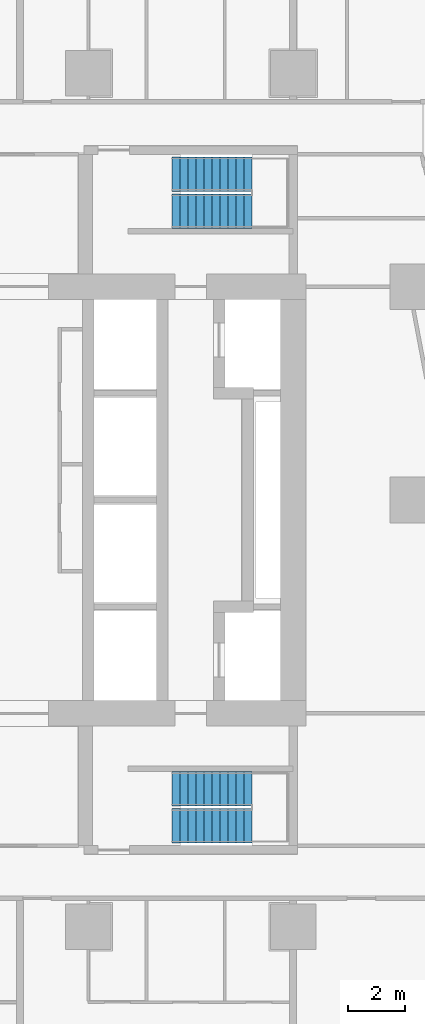
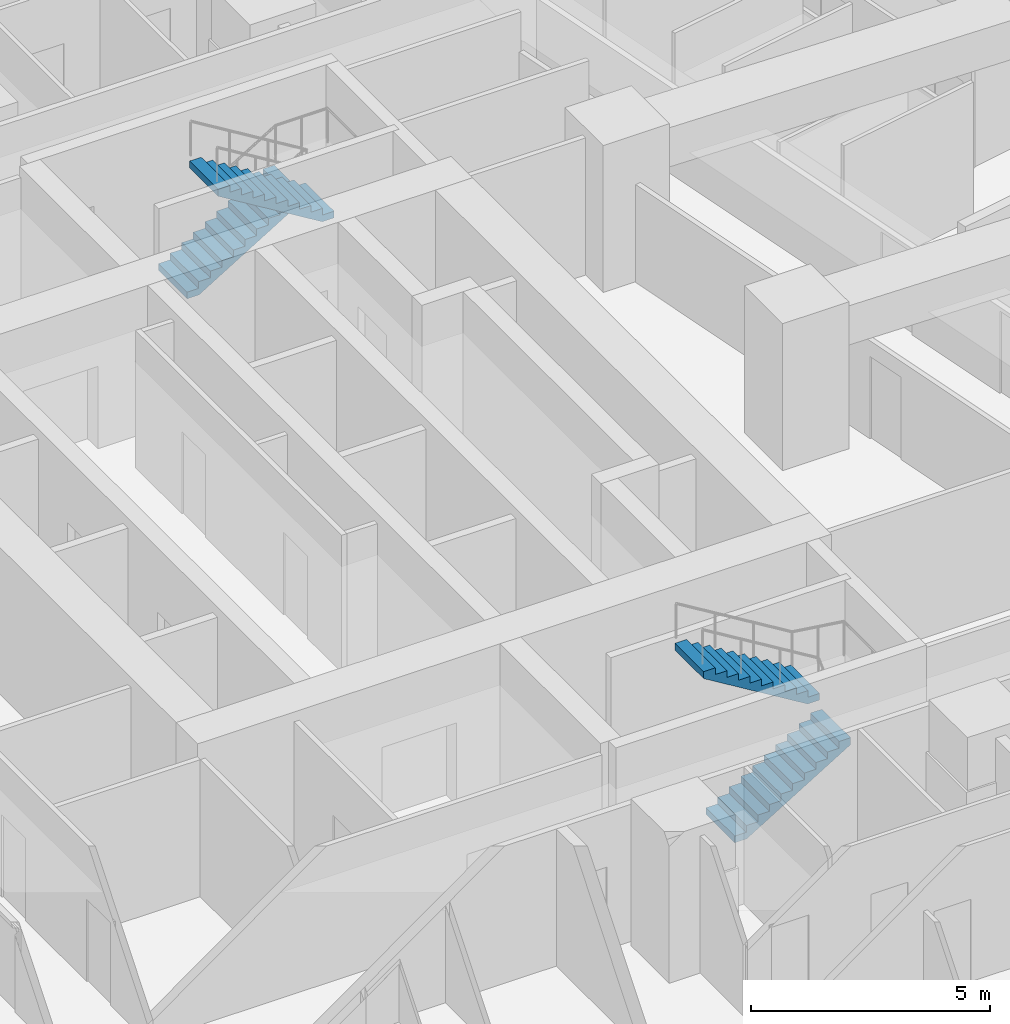
# One storey, part 14 of 17: 4 stair flights, 2 elements without a shape of their own.
"""IFC4 building model written with IfcOpenShell, lengths in metres."""

from ifc_helpers import new_model, si_unit, direction, frame, origin, place, context, subcontext, project, spatial, triangles, material, type_object, element, aggregate, save


model = new_model("IFC4")

# Units and contexts
model_context = context("Model", 3, precision=1e-05, world=origin(), true_north=direction((0.0, 1.0)))
body_context = subcontext(model_context, "Body", "Model", "MODEL_VIEW")
ifc_project = project(units=[si_unit("LENGTHUNIT", "METRE"), si_unit("AREAUNIT", "SQUARE_METRE"), si_unit("VOLUMEUNIT", "CUBIC_METRE"), si_unit("PLANEANGLEUNIT", "RADIAN"), si_unit("MASSUNIT", "GRAM", prefix="KILO")], contexts=[model_context])

# Site, building, storey
site_placement = place(None, origin())
site = spatial("IfcSite", under=ifc_project, at=site_placement, CompositionType="ELEMENT")
building_placement = place(site_placement, origin())
building = spatial("IfcBuilding", under=site, at=building_placement, Name="Sheger Commons Tower", CompositionType="ELEMENT")
storey_placement = place(building_placement, frame((0.0, 0.0, 111.64990234375)))
storey = spatial("IfcBuildingStorey", under=building, at=storey_placement, Name="L28", CompositionType="ELEMENT", Elevation=111.64990234375)

# Stair, stair flights
ifc_material_1 = material(Name="Concrete C35/45", Category="concrete")
stair_type = type_object("IfcStairType", Name="HALF-TURN STAIR 1200 RISE 3750", PredefinedType="HALF_TURN_STAIR", material=ifc_material_1)
stair_1_placement = place(storey_placement, origin())
stair_1 = element("IfcStair", 1, at=stair_1_placement, inside=storey, type_object=stair_type, Name="Stair S1 L28", PredefinedType="HALF_TURN_STAIR")
ifc_material_2 = material(Name="Concrete C35/45", Category="concrete")
stair_flight_type = type_object("IfcStairFlightType", Name="STAIR FLIGHT 1200 11 RISERS OF 170", PredefinedType="STRAIGHT", material=ifc_material_2)
stair_flight_1_placement = place(storey_placement, frame((24.550048828125, 11.050048828125, 0.0), z_axis=(0.0, 0.0, 1.0), x_axis=(1.0, 0.0, 0.0)))
stair_flight_1 = element("IfcStairFlight", 2, at=stair_flight_1_placement, type_object=stair_flight_type, Name="S1 flight 1", NumberOfRisers=11, NumberOfTreads=10, PredefinedType="STRAIGHT", RiserHeight=0.170454545, TreadLength=0.28, context=body_context, shape_type="Tessellation", body=[
    triangles([(0.0, 0.5999755859375, 0.0), (0.0, 0.5999755859375, 0.17041015625), (0.280029296875, 0.5999755859375, 0.17041015625), (0.280029296875, 0.5999755859375, 0.3408203125), (0.56005859375, 0.5999755859375, 0.3408203125), (0.56005859375, 0.5999755859375, 0.511474609375), (0.840087890625, 0.5999755859375, 0.511474609375), (0.840087890625, 0.5999755859375, 0.681884765625), (1.1201171875, 0.5999755859375, 0.681884765625), (1.1201171875, 0.5999755859375, 0.852294921875), (1.39990234375, 0.5999755859375, 0.852294921875), (1.39990234375, 0.5999755859375, 1.022705078125), (1.679931640625, 0.5999755859375, 1.022705078125), (1.679931640625, 0.5999755859375, 1.193115234375), (1.9599609375, 0.5999755859375, 1.193115234375), (1.9599609375, 0.5999755859375, 1.363525390625), (2.239990234375, 0.5999755859375, 1.363525390625), (2.239990234375, 0.5999755859375, 1.5341796875), (2.52001953125, 0.5999755859375, 1.5341796875), (2.52001953125, 0.5999755859375, 1.70458984375), (2.800048828125, 0.5999755859375, 1.70458984375), (2.800048828125, 0.5999755859375, 1.529052734375), (0.288330078125, 0.5999755859375, 0.0), (0.0, -0.5999755859375, 0.0), (0.0, -0.5999755859375, 0.17041015625), (0.280029296875, -0.5999755859375, 0.17041015625), (0.280029296875, -0.5999755859375, 0.3408203125), (0.56005859375, -0.5999755859375, 0.3408203125), (0.56005859375, -0.5999755859375, 0.511474609375), (0.840087890625, -0.5999755859375, 0.511474609375), (0.840087890625, -0.5999755859375, 0.681884765625), (1.1201171875, -0.5999755859375, 0.681884765625), (1.1201171875, -0.5999755859375, 0.852294921875), (1.39990234375, -0.5999755859375, 0.852294921875), (1.39990234375, -0.5999755859375, 1.022705078125), (1.679931640625, -0.5999755859375, 1.022705078125), (1.679931640625, -0.5999755859375, 1.193115234375), (1.9599609375, -0.5999755859375, 1.193115234375), (1.9599609375, -0.5999755859375, 1.363525390625), (2.239990234375, -0.5999755859375, 1.363525390625), (2.239990234375, -0.5999755859375, 1.5341796875), (2.52001953125, -0.5999755859375, 1.5341796875), (2.52001953125, -0.5999755859375, 1.70458984375), (2.800048828125, -0.5999755859375, 1.70458984375), (2.800048828125, -0.5999755859375, 1.529052734375), (0.288330078125, -0.5999755859375, 0.0), (0.0, 0.0, 0.085205078125), (0.1400146484375, 0.0, 0.17041015625), (0.280029296875, 0.0, 0.255615234375), (0.4200439453125, 0.0, 0.3408203125), (0.56005859375, 0.0, 0.4261474609375), (0.7000732421875, 0.0, 0.511474609375), (0.840087890625, 0.0, 0.5966796875), (0.9801025390625, 0.0, 0.681884765625), (1.1201171875, 0.0, 0.76708984375), (1.260009765625, 0.0, 0.852294921875), (1.39990234375, 0.0, 0.9375), (1.5399169921875, 0.0, 1.022705078125), (1.679931640625, 0.0, 1.10791015625), (1.8199462890625, 0.0, 1.193115234375), (1.9599609375, 0.0, 1.2783203125), (2.0999755859375, 0.0, 1.363525390625), (2.239990234375, 0.0, 1.4488525390625), (2.3800048828125, 0.0, 1.5341796875), (2.52001953125, 0.0, 1.619384765625), (2.6600341796875, 0.0, 1.70458984375), (2.800048828125, 0.0, 1.6168212890625), (1.544189453125, 0.0, 0.7645263671875), (0.1441650390625, 0.0, 0.0)], [[1, 22, 23], [24, 46, 45], [22, 20, 21], [45, 44, 43], [22, 19, 20], [45, 43, 42], [22, 18, 19], [45, 42, 41], [22, 17, 18], [45, 41, 40], [17, 15, 16], [40, 39, 38], [22, 15, 17], [45, 40, 38], [15, 13, 14], [38, 37, 36], [22, 13, 15], [45, 38, 36], [13, 11, 12], [36, 35, 34], [22, 11, 13], [45, 36, 34], [11, 9, 10], [34, 33, 32], [22, 9, 11], [45, 34, 32], [9, 7, 8], [32, 31, 30], [22, 7, 9], [45, 32, 30], [7, 5, 6], [30, 29, 28], [22, 5, 7], [45, 30, 28], [5, 3, 4], [28, 27, 26], [22, 3, 5], [45, 28, 26], [1, 3, 22], [24, 45, 26], [3, 1, 2], [26, 25, 24], [1, 47, 2], [2, 47, 25], [25, 47, 24], [24, 47, 1], [2, 48, 3], [3, 48, 26], [26, 48, 25], [25, 48, 2], [3, 49, 4], [4, 49, 27], [27, 49, 26], [26, 49, 3], [4, 50, 5], [5, 50, 28], [28, 50, 27], [27, 50, 4], [5, 51, 6], [6, 51, 29], [29, 51, 28], [28, 51, 5], [6, 52, 7], [7, 52, 30], [30, 52, 29], [29, 52, 6], [7, 53, 8], [8, 53, 31], [31, 53, 30], [30, 53, 7], [8, 54, 9], [9, 54, 32], [32, 54, 31], [31, 54, 8], [9, 55, 10], [10, 55, 33], [33, 55, 32], [32, 55, 9], [10, 56, 11], [11, 56, 34], [34, 56, 33], [33, 56, 10], [11, 57, 12], [12, 57, 35], [35, 57, 34], [34, 57, 11], [12, 58, 13], [13, 58, 36], [36, 58, 35], [35, 58, 12], [13, 59, 14], [14, 59, 37], [37, 59, 36], [36, 59, 13], [14, 60, 15], [15, 60, 38], [38, 60, 37], [37, 60, 14], [15, 61, 16], [16, 61, 39], [39, 61, 38], [38, 61, 15], [16, 62, 17], [17, 62, 40], [40, 62, 39], [39, 62, 16], [17, 63, 18], [18, 63, 41], [41, 63, 40], [40, 63, 17], [18, 64, 19], [19, 64, 42], [42, 64, 41], [41, 64, 18], [19, 65, 20], [20, 65, 43], [43, 65, 42], [42, 65, 19], [20, 66, 21], [21, 66, 44], [44, 66, 43], [43, 66, 20], [21, 67, 22], [22, 67, 45], [45, 67, 44], [44, 67, 21], [22, 68, 23], [23, 68, 46], [46, 68, 45], [45, 68, 22], [23, 69, 1], [1, 69, 24], [24, 69, 46], [46, 69, 23]], closed=True),
])
stair_flight_2_placement = place(storey_placement, frame((27.35009765625, 12.35009765625, 1.875), z_axis=(0.0, 0.0, 1.0), x_axis=(-1.0, 0.0, 0.0)))
stair_flight_2 = element("IfcStairFlight", 3, at=stair_flight_2_placement, type_object=stair_flight_type, Name="S1 flight 2", NumberOfRisers=11, NumberOfTreads=10, PredefinedType="STRAIGHT", RiserHeight=0.170454545, TreadLength=0.28, context=body_context, shape_type="Tessellation", body=[
    triangles([(0.0, 0.5999755859375, 0.0), (0.0, 0.5999755859375, 0.17041015625), (0.280029296875, 0.5999755859375, 0.17041015625), (0.280029296875, 0.5999755859375, 0.3408203125), (0.56005859375, 0.5999755859375, 0.3408203125), (0.56005859375, 0.5999755859375, 0.511474609375), (0.840087890625, 0.5999755859375, 0.511474609375), (0.840087890625, 0.5999755859375, 0.681884765625), (1.1201171875, 0.5999755859375, 0.681884765625), (1.1201171875, 0.5999755859375, 0.852294921875), (1.39990234375, 0.5999755859375, 0.852294921875), (1.39990234375, 0.5999755859375, 1.022705078125), (1.679931640625, 0.5999755859375, 1.022705078125), (1.679931640625, 0.5999755859375, 1.193115234375), (1.9599609375, 0.5999755859375, 1.193115234375), (1.9599609375, 0.5999755859375, 1.363525390625), (2.239990234375, 0.5999755859375, 1.363525390625), (2.239990234375, 0.5999755859375, 1.5341796875), (2.52001953125, 0.5999755859375, 1.5341796875), (2.52001953125, 0.5999755859375, 1.70458984375), (2.800048828125, 0.5999755859375, 1.70458984375), (2.800048828125, 0.5999755859375, 1.529052734375), (0.288330078125, 0.5999755859375, 0.0), (0.0, -0.5999755859375, 0.0), (0.0, -0.5999755859375, 0.17041015625), (0.280029296875, -0.5999755859375, 0.17041015625), (0.280029296875, -0.5999755859375, 0.3408203125), (0.56005859375, -0.5999755859375, 0.3408203125), (0.56005859375, -0.5999755859375, 0.511474609375), (0.840087890625, -0.5999755859375, 0.511474609375), (0.840087890625, -0.5999755859375, 0.681884765625), (1.1201171875, -0.5999755859375, 0.681884765625), (1.1201171875, -0.5999755859375, 0.852294921875), (1.39990234375, -0.5999755859375, 0.852294921875), (1.39990234375, -0.5999755859375, 1.022705078125), (1.679931640625, -0.5999755859375, 1.022705078125), (1.679931640625, -0.5999755859375, 1.193115234375), (1.9599609375, -0.5999755859375, 1.193115234375), (1.9599609375, -0.5999755859375, 1.363525390625), (2.239990234375, -0.5999755859375, 1.363525390625), (2.239990234375, -0.5999755859375, 1.5341796875), (2.52001953125, -0.5999755859375, 1.5341796875), (2.52001953125, -0.5999755859375, 1.70458984375), (2.800048828125, -0.5999755859375, 1.70458984375), (2.800048828125, -0.5999755859375, 1.529052734375), (0.288330078125, -0.5999755859375, 0.0), (0.0, 0.0, 0.085205078125), (0.1400146484375, 0.0, 0.17041015625), (0.280029296875, 0.0, 0.255615234375), (0.4200439453125, 0.0, 0.3408203125), (0.56005859375, 0.0, 0.4261474609375), (0.7000732421875, 0.0, 0.511474609375), (0.840087890625, 0.0, 0.5966796875), (0.9801025390625, 0.0, 0.681884765625), (1.1201171875, 0.0, 0.76708984375), (1.260009765625, 0.0, 0.852294921875), (1.39990234375, 0.0, 0.9375), (1.5399169921875, 0.0, 1.022705078125), (1.679931640625, 0.0, 1.10791015625), (1.8199462890625, 0.0, 1.193115234375), (1.9599609375, 0.0, 1.2783203125), (2.0999755859375, 0.0, 1.363525390625), (2.239990234375, 0.0, 1.4488525390625), (2.3800048828125, 0.0, 1.5341796875), (2.52001953125, 0.0, 1.619384765625), (2.6600341796875, 0.0, 1.70458984375), (2.800048828125, 0.0, 1.6168212890625), (1.544189453125, 0.0, 0.7645263671875), (0.1441650390625, 0.0, 0.0)], [[1, 22, 23], [24, 46, 45], [22, 20, 21], [45, 44, 43], [22, 19, 20], [45, 43, 42], [22, 18, 19], [45, 42, 41], [22, 17, 18], [45, 41, 40], [17, 15, 16], [40, 39, 38], [22, 15, 17], [45, 40, 38], [15, 13, 14], [38, 37, 36], [22, 13, 15], [45, 38, 36], [13, 11, 12], [36, 35, 34], [22, 11, 13], [45, 36, 34], [11, 9, 10], [34, 33, 32], [22, 9, 11], [45, 34, 32], [9, 7, 8], [32, 31, 30], [22, 7, 9], [45, 32, 30], [7, 5, 6], [30, 29, 28], [22, 5, 7], [45, 30, 28], [5, 3, 4], [28, 27, 26], [22, 3, 5], [45, 28, 26], [1, 3, 22], [24, 45, 26], [3, 1, 2], [26, 25, 24], [1, 47, 2], [2, 47, 25], [25, 47, 24], [24, 47, 1], [2, 48, 3], [3, 48, 26], [26, 48, 25], [25, 48, 2], [3, 49, 4], [4, 49, 27], [27, 49, 26], [26, 49, 3], [4, 50, 5], [5, 50, 28], [28, 50, 27], [27, 50, 4], [5, 51, 6], [6, 51, 29], [29, 51, 28], [28, 51, 5], [6, 52, 7], [7, 52, 30], [30, 52, 29], [29, 52, 6], [7, 53, 8], [8, 53, 31], [31, 53, 30], [30, 53, 7], [8, 54, 9], [9, 54, 32], [32, 54, 31], [31, 54, 8], [9, 55, 10], [10, 55, 33], [33, 55, 32], [32, 55, 9], [10, 56, 11], [11, 56, 34], [34, 56, 33], [33, 56, 10], [11, 57, 12], [12, 57, 35], [35, 57, 34], [34, 57, 11], [12, 58, 13], [13, 58, 36], [36, 58, 35], [35, 58, 12], [13, 59, 14], [14, 59, 37], [37, 59, 36], [36, 59, 13], [14, 60, 15], [15, 60, 38], [38, 60, 37], [37, 60, 14], [15, 61, 16], [16, 61, 39], [39, 61, 38], [38, 61, 15], [16, 62, 17], [17, 62, 40], [40, 62, 39], [39, 62, 16], [17, 63, 18], [18, 63, 41], [41, 63, 40], [40, 63, 17], [18, 64, 19], [19, 64, 42], [42, 64, 41], [41, 64, 18], [19, 65, 20], [20, 65, 43], [43, 65, 42], [42, 65, 19], [20, 66, 21], [21, 66, 44], [44, 66, 43], [43, 66, 20], [21, 67, 22], [22, 67, 45], [45, 67, 44], [44, 67, 21], [22, 68, 23], [23, 68, 46], [46, 68, 45], [45, 68, 22], [23, 69, 1], [1, 69, 24], [24, 69, 46], [46, 69, 23]], closed=True),
])
aggregate(stair_1, [stair_flight_1, stair_flight_2])

stair_2_placement = place(storey_placement, origin())
stair_2 = element("IfcStair", 4, at=stair_2_placement, inside=storey, type_object=stair_type, Name="Stair S2 L28", PredefinedType="HALF_TURN_STAIR")
stair_flight_3_placement = place(storey_placement, frame((24.550048828125, 33.949951171875, 0.0), z_axis=(0.0, 0.0, 1.0), x_axis=(1.0, 0.0, 0.0)))
stair_flight_3 = element("IfcStairFlight", 5, at=stair_flight_3_placement, type_object=stair_flight_type, Name="S2 flight 1", NumberOfRisers=11, NumberOfTreads=10, PredefinedType="STRAIGHT", RiserHeight=0.170454545, TreadLength=0.28, context=body_context, shape_type="Tessellation", body=[
    triangles([(0.0, 0.5999755859375, 0.0), (0.0, 0.5999755859375, 0.17041015625), (0.280029296875, 0.5999755859375, 0.17041015625), (0.280029296875, 0.5999755859375, 0.3408203125), (0.56005859375, 0.5999755859375, 0.3408203125), (0.56005859375, 0.5999755859375, 0.511474609375), (0.840087890625, 0.5999755859375, 0.511474609375), (0.840087890625, 0.5999755859375, 0.681884765625), (1.1201171875, 0.5999755859375, 0.681884765625), (1.1201171875, 0.5999755859375, 0.852294921875), (1.39990234375, 0.5999755859375, 0.852294921875), (1.39990234375, 0.5999755859375, 1.022705078125), (1.679931640625, 0.5999755859375, 1.022705078125), (1.679931640625, 0.5999755859375, 1.193115234375), (1.9599609375, 0.5999755859375, 1.193115234375), (1.9599609375, 0.5999755859375, 1.363525390625), (2.239990234375, 0.5999755859375, 1.363525390625), (2.239990234375, 0.5999755859375, 1.5341796875), (2.52001953125, 0.5999755859375, 1.5341796875), (2.52001953125, 0.5999755859375, 1.70458984375), (2.800048828125, 0.5999755859375, 1.70458984375), (2.800048828125, 0.5999755859375, 1.529052734375), (0.288330078125, 0.5999755859375, 0.0), (0.0, -0.5999755859375, 0.0), (0.0, -0.5999755859375, 0.17041015625), (0.280029296875, -0.5999755859375, 0.17041015625), (0.280029296875, -0.5999755859375, 0.3408203125), (0.56005859375, -0.5999755859375, 0.3408203125), (0.56005859375, -0.5999755859375, 0.511474609375), (0.840087890625, -0.5999755859375, 0.511474609375), (0.840087890625, -0.5999755859375, 0.681884765625), (1.1201171875, -0.5999755859375, 0.681884765625), (1.1201171875, -0.5999755859375, 0.852294921875), (1.39990234375, -0.5999755859375, 0.852294921875), (1.39990234375, -0.5999755859375, 1.022705078125), (1.679931640625, -0.5999755859375, 1.022705078125), (1.679931640625, -0.5999755859375, 1.193115234375), (1.9599609375, -0.5999755859375, 1.193115234375), (1.9599609375, -0.5999755859375, 1.363525390625), (2.239990234375, -0.5999755859375, 1.363525390625), (2.239990234375, -0.5999755859375, 1.5341796875), (2.52001953125, -0.5999755859375, 1.5341796875), (2.52001953125, -0.5999755859375, 1.70458984375), (2.800048828125, -0.5999755859375, 1.70458984375), (2.800048828125, -0.5999755859375, 1.529052734375), (0.288330078125, -0.5999755859375, 0.0), (0.0, 0.0, 0.085205078125), (0.1400146484375, 0.0, 0.17041015625), (0.280029296875, 0.0, 0.255615234375), (0.4200439453125, 0.0, 0.3408203125), (0.56005859375, 0.0, 0.4261474609375), (0.7000732421875, 0.0, 0.511474609375), (0.840087890625, 0.0, 0.5966796875), (0.9801025390625, 0.0, 0.681884765625), (1.1201171875, 0.0, 0.76708984375), (1.260009765625, 0.0, 0.852294921875), (1.39990234375, 0.0, 0.9375), (1.5399169921875, 0.0, 1.022705078125), (1.679931640625, 0.0, 1.10791015625), (1.8199462890625, 0.0, 1.193115234375), (1.9599609375, 0.0, 1.2783203125), (2.0999755859375, 0.0, 1.363525390625), (2.239990234375, 0.0, 1.4488525390625), (2.3800048828125, 0.0, 1.5341796875), (2.52001953125, 0.0, 1.619384765625), (2.6600341796875, 0.0, 1.70458984375), (2.800048828125, 0.0, 1.6168212890625), (1.544189453125, 0.0, 0.7645263671875), (0.1441650390625, 0.0, 0.0)], [[1, 22, 23], [24, 46, 45], [22, 20, 21], [45, 44, 43], [22, 19, 20], [45, 43, 42], [22, 18, 19], [45, 42, 41], [22, 17, 18], [45, 41, 40], [17, 15, 16], [40, 39, 38], [22, 15, 17], [45, 40, 38], [15, 13, 14], [38, 37, 36], [22, 13, 15], [45, 38, 36], [13, 11, 12], [36, 35, 34], [22, 11, 13], [45, 36, 34], [11, 9, 10], [34, 33, 32], [22, 9, 11], [45, 34, 32], [9, 7, 8], [32, 31, 30], [22, 7, 9], [45, 32, 30], [7, 5, 6], [30, 29, 28], [22, 5, 7], [45, 30, 28], [5, 3, 4], [28, 27, 26], [22, 3, 5], [45, 28, 26], [1, 3, 22], [24, 45, 26], [3, 1, 2], [26, 25, 24], [1, 47, 2], [2, 47, 25], [25, 47, 24], [24, 47, 1], [2, 48, 3], [3, 48, 26], [26, 48, 25], [25, 48, 2], [3, 49, 4], [4, 49, 27], [27, 49, 26], [26, 49, 3], [4, 50, 5], [5, 50, 28], [28, 50, 27], [27, 50, 4], [5, 51, 6], [6, 51, 29], [29, 51, 28], [28, 51, 5], [6, 52, 7], [7, 52, 30], [30, 52, 29], [29, 52, 6], [7, 53, 8], [8, 53, 31], [31, 53, 30], [30, 53, 7], [8, 54, 9], [9, 54, 32], [32, 54, 31], [31, 54, 8], [9, 55, 10], [10, 55, 33], [33, 55, 32], [32, 55, 9], [10, 56, 11], [11, 56, 34], [34, 56, 33], [33, 56, 10], [11, 57, 12], [12, 57, 35], [35, 57, 34], [34, 57, 11], [12, 58, 13], [13, 58, 36], [36, 58, 35], [35, 58, 12], [13, 59, 14], [14, 59, 37], [37, 59, 36], [36, 59, 13], [14, 60, 15], [15, 60, 38], [38, 60, 37], [37, 60, 14], [15, 61, 16], [16, 61, 39], [39, 61, 38], [38, 61, 15], [16, 62, 17], [17, 62, 40], [40, 62, 39], [39, 62, 16], [17, 63, 18], [18, 63, 41], [41, 63, 40], [40, 63, 17], [18, 64, 19], [19, 64, 42], [42, 64, 41], [41, 64, 18], [19, 65, 20], [20, 65, 43], [43, 65, 42], [42, 65, 19], [20, 66, 21], [21, 66, 44], [44, 66, 43], [43, 66, 20], [21, 67, 22], [22, 67, 45], [45, 67, 44], [44, 67, 21], [22, 68, 23], [23, 68, 46], [46, 68, 45], [45, 68, 22], [23, 69, 1], [1, 69, 24], [24, 69, 46], [46, 69, 23]], closed=True),
])
stair_flight_4_placement = place(storey_placement, frame((27.35009765625, 32.64990234375, 1.875), z_axis=(0.0, 0.0, 1.0), x_axis=(-1.0, 0.0, 0.0)))
stair_flight_4 = element("IfcStairFlight", 6, at=stair_flight_4_placement, type_object=stair_flight_type, Name="S2 flight 2", NumberOfRisers=11, NumberOfTreads=10, PredefinedType="STRAIGHT", RiserHeight=0.170454545, TreadLength=0.28, context=body_context, shape_type="Tessellation", body=[
    triangles([(0.0, 0.5999755859375, 0.0), (0.0, 0.5999755859375, 0.17041015625), (0.280029296875, 0.5999755859375, 0.17041015625), (0.280029296875, 0.5999755859375, 0.3408203125), (0.56005859375, 0.5999755859375, 0.3408203125), (0.56005859375, 0.5999755859375, 0.511474609375), (0.840087890625, 0.5999755859375, 0.511474609375), (0.840087890625, 0.5999755859375, 0.681884765625), (1.1201171875, 0.5999755859375, 0.681884765625), (1.1201171875, 0.5999755859375, 0.852294921875), (1.39990234375, 0.5999755859375, 0.852294921875), (1.39990234375, 0.5999755859375, 1.022705078125), (1.679931640625, 0.5999755859375, 1.022705078125), (1.679931640625, 0.5999755859375, 1.193115234375), (1.9599609375, 0.5999755859375, 1.193115234375), (1.9599609375, 0.5999755859375, 1.363525390625), (2.239990234375, 0.5999755859375, 1.363525390625), (2.239990234375, 0.5999755859375, 1.5341796875), (2.52001953125, 0.5999755859375, 1.5341796875), (2.52001953125, 0.5999755859375, 1.70458984375), (2.800048828125, 0.5999755859375, 1.70458984375), (2.800048828125, 0.5999755859375, 1.529052734375), (0.288330078125, 0.5999755859375, 0.0), (0.0, -0.5999755859375, 0.0), (0.0, -0.5999755859375, 0.17041015625), (0.280029296875, -0.5999755859375, 0.17041015625), (0.280029296875, -0.5999755859375, 0.3408203125), (0.56005859375, -0.5999755859375, 0.3408203125), (0.56005859375, -0.5999755859375, 0.511474609375), (0.840087890625, -0.5999755859375, 0.511474609375), (0.840087890625, -0.5999755859375, 0.681884765625), (1.1201171875, -0.5999755859375, 0.681884765625), (1.1201171875, -0.5999755859375, 0.852294921875), (1.39990234375, -0.5999755859375, 0.852294921875), (1.39990234375, -0.5999755859375, 1.022705078125), (1.679931640625, -0.5999755859375, 1.022705078125), (1.679931640625, -0.5999755859375, 1.193115234375), (1.9599609375, -0.5999755859375, 1.193115234375), (1.9599609375, -0.5999755859375, 1.363525390625), (2.239990234375, -0.5999755859375, 1.363525390625), (2.239990234375, -0.5999755859375, 1.5341796875), (2.52001953125, -0.5999755859375, 1.5341796875), (2.52001953125, -0.5999755859375, 1.70458984375), (2.800048828125, -0.5999755859375, 1.70458984375), (2.800048828125, -0.5999755859375, 1.529052734375), (0.288330078125, -0.5999755859375, 0.0), (0.0, 0.0, 0.085205078125), (0.1400146484375, 0.0, 0.17041015625), (0.280029296875, 0.0, 0.255615234375), (0.4200439453125, 0.0, 0.3408203125), (0.56005859375, 0.0, 0.4261474609375), (0.7000732421875, 0.0, 0.511474609375), (0.840087890625, 0.0, 0.5966796875), (0.9801025390625, 0.0, 0.681884765625), (1.1201171875, 0.0, 0.76708984375), (1.260009765625, 0.0, 0.852294921875), (1.39990234375, 0.0, 0.9375), (1.5399169921875, 0.0, 1.022705078125), (1.679931640625, 0.0, 1.10791015625), (1.8199462890625, 0.0, 1.193115234375), (1.9599609375, 0.0, 1.2783203125), (2.0999755859375, 0.0, 1.363525390625), (2.239990234375, 0.0, 1.4488525390625), (2.3800048828125, 0.0, 1.5341796875), (2.52001953125, 0.0, 1.619384765625), (2.6600341796875, 0.0, 1.70458984375), (2.800048828125, 0.0, 1.6168212890625), (1.544189453125, 0.0, 0.7645263671875), (0.1441650390625, 0.0, 0.0)], [[1, 22, 23], [24, 46, 45], [22, 20, 21], [45, 44, 43], [22, 19, 20], [45, 43, 42], [22, 18, 19], [45, 42, 41], [22, 17, 18], [45, 41, 40], [17, 15, 16], [40, 39, 38], [22, 15, 17], [45, 40, 38], [15, 13, 14], [38, 37, 36], [22, 13, 15], [45, 38, 36], [13, 11, 12], [36, 35, 34], [22, 11, 13], [45, 36, 34], [11, 9, 10], [34, 33, 32], [22, 9, 11], [45, 34, 32], [9, 7, 8], [32, 31, 30], [22, 7, 9], [45, 32, 30], [7, 5, 6], [30, 29, 28], [22, 5, 7], [45, 30, 28], [5, 3, 4], [28, 27, 26], [22, 3, 5], [45, 28, 26], [1, 3, 22], [24, 45, 26], [3, 1, 2], [26, 25, 24], [1, 47, 2], [2, 47, 25], [25, 47, 24], [24, 47, 1], [2, 48, 3], [3, 48, 26], [26, 48, 25], [25, 48, 2], [3, 49, 4], [4, 49, 27], [27, 49, 26], [26, 49, 3], [4, 50, 5], [5, 50, 28], [28, 50, 27], [27, 50, 4], [5, 51, 6], [6, 51, 29], [29, 51, 28], [28, 51, 5], [6, 52, 7], [7, 52, 30], [30, 52, 29], [29, 52, 6], [7, 53, 8], [8, 53, 31], [31, 53, 30], [30, 53, 7], [8, 54, 9], [9, 54, 32], [32, 54, 31], [31, 54, 8], [9, 55, 10], [10, 55, 33], [33, 55, 32], [32, 55, 9], [10, 56, 11], [11, 56, 34], [34, 56, 33], [33, 56, 10], [11, 57, 12], [12, 57, 35], [35, 57, 34], [34, 57, 11], [12, 58, 13], [13, 58, 36], [36, 58, 35], [35, 58, 12], [13, 59, 14], [14, 59, 37], [37, 59, 36], [36, 59, 13], [14, 60, 15], [15, 60, 38], [38, 60, 37], [37, 60, 14], [15, 61, 16], [16, 61, 39], [39, 61, 38], [38, 61, 15], [16, 62, 17], [17, 62, 40], [40, 62, 39], [39, 62, 16], [17, 63, 18], [18, 63, 41], [41, 63, 40], [40, 63, 17], [18, 64, 19], [19, 64, 42], [42, 64, 41], [41, 64, 18], [19, 65, 20], [20, 65, 43], [43, 65, 42], [42, 65, 19], [20, 66, 21], [21, 66, 44], [44, 66, 43], [43, 66, 20], [21, 67, 22], [22, 67, 45], [45, 67, 44], [44, 67, 21], [22, 68, 23], [23, 68, 46], [46, 68, 45], [45, 68, 22], [23, 69, 1], [1, 69, 24], [24, 69, 46], [46, 69, 23]], closed=True),
])
aggregate(stair_2, [stair_flight_3, stair_flight_4])

save(model, "model.ifc")
